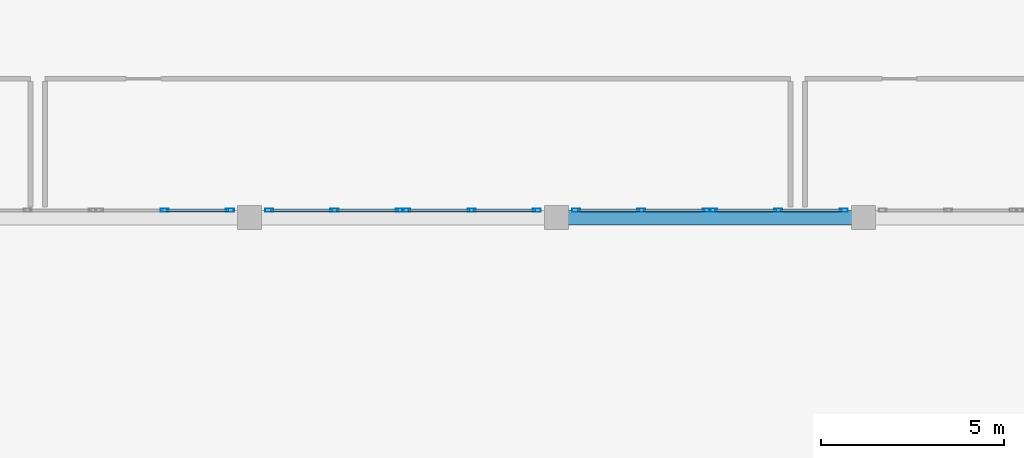
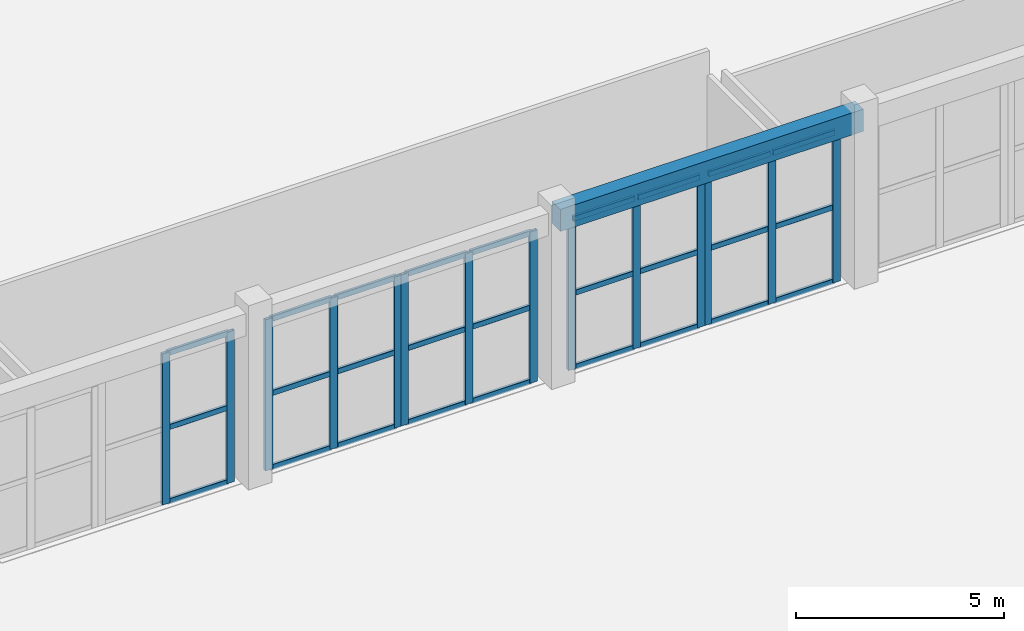
# One storey, part 23 of 98: 41 members, 1 beam, 5 elements without a shape of their own.
"""IFC4 building model written with IfcOpenShell, lengths in metres."""

from ifc_helpers import new_model, si_unit, direction, frame, origin, origin_2d, place, context, subcontext, project, spatial, rectangle, hollow_rectangle, extrude, material, layer, layer_set, material_profile, profile_set, type_object, element, aggregate, save


model = new_model("IFC4")

# Units and contexts
model_context = context("Model", 3, precision=1e-05, world=origin(), true_north=direction((0.0, 1.0)))
body_context = subcontext(model_context, "Body", "Model", "MODEL_VIEW")
ifc_project = project(units=[si_unit("LENGTHUNIT", "METRE"), si_unit("AREAUNIT", "SQUARE_METRE"), si_unit("VOLUMEUNIT", "CUBIC_METRE"), si_unit("PLANEANGLEUNIT", "RADIAN"), si_unit("MASSUNIT", "GRAM", prefix="KILO")], contexts=[model_context])

# Site, building, storey
site_placement = place(None, origin())
site = spatial("IfcSite", under=ifc_project, at=site_placement, CompositionType="ELEMENT")
building_placement = place(site_placement, origin())
building = spatial("IfcBuilding", under=site, at=building_placement, Name="Tarnavel Promenade Courthouse", CompositionType="ELEMENT")
storey_placement = place(building_placement, origin())
storey = spatial("IfcBuildingStorey", under=building, at=storey_placement, Name="L01", CompositionType="ELEMENT", Elevation=0.0)

# Beam
ifc_material_1 = material(Name="Concrete C40/50", Category="concrete")
ifc_material_profile_1 = material_profile(ifc_material_1, rectangle(XDim=0.39990234375, YDim=0.64990234375, at=origin_2d()), Name="RC 400x650")
ifc_profile_set_1 = profile_set([ifc_material_profile_1], Name="Concrete C40/50")
beam_type = type_object("IfcBeamType", Name="Concrete C40/50 BM-RC-400x650 (RC 400x650)", PredefinedType="BEAM", material=ifc_profile_set_1)
beam_placement = place(storey_placement, frame((75.60009765625, 46.800048828125, 4.77001953125), z_axis=(1.0, 0.0, 0.0), x_axis=(0.0, 1.0, 0.0)))
element("IfcBeam", 1, at=beam_placement, inside=storey, type_object=beam_type, Name="L01 Primary Longitudinal Beam 0622", PredefinedType="BEAM", context=body_context, shape_type="SweptSolid", body=[
    extrude(rectangle(XDim=0.39990234375, YDim=0.64990234375, at=origin_2d()), origin(), (0.0, 0.0, 1.0), 8.39990234375),
])

# Curtain wall, members
ifc_material_2 = material(Name="Thermally Broken Anodised Aluminium Curtain Wall System", Category="aluminium")
ifc_layer = layer(ifc_material_2, 0.239990234375)
ifc_layer_set = layer_set([ifc_layer], Name="Thermally Broken Anodised Aluminium Curtain Wall System")
curtain_wall_type = type_object("IfcCurtainWallType", Name="Thermally Broken Aluminium Triple-Glazed Curtain Wall CW-WG-S", PredefinedType="NOTDEFINED", material=ifc_layer_set)
curtain_wall_1_placement = place(storey_placement, origin())
curtain_wall_1 = element("IfcCurtainWall", 2, at=curtain_wall_1_placement, inside=storey, type_object=curtain_wall_type, Name="L01 Winter-Garden South Solar Curtain Wall 048", PredefinedType="NOTDEFINED")
ifc_material_3 = material(Name="Thermally Broken Anodised Aluminium Frame", Category="aluminium")
ifc_material_profile_2 = material_profile(ifc_material_3, hollow_rectangle(XDim=0.090087890625, YDim=0.219970703125, WallThickness=0.0048828125, InnerFilletRadius=0.0048828125, OuterFilletRadius=0.010009765625, at=origin_2d()), Name="CWM 220x90x5")
ifc_profile_set_2 = profile_set([ifc_material_profile_2], Name="Thermally Broken Anodised Aluminium Frame")
member_type_1 = type_object("IfcMemberType", Name="Thermally Broken Anodised Aluminium CWM-175 (CWM 220x90x5)", PredefinedType="MULLION", material=ifc_profile_set_2)
member_1_placement = place(storey_placement, frame((64.875, 47.0, 0.0), z_axis=(0.0, 0.0, 1.0), x_axis=(0.0, 1.0, 0.0)))
member_1 = element("IfcMember", 3, at=member_1_placement, type_object=member_type_1, Name="CW-02 mullion 2", PredefinedType="MULLION", context=body_context, shape_type="SweptSolid", body=[
    extrude(hollow_rectangle(XDim=0.090087890625, YDim=0.219970703125, WallThickness=0.0048828125, InnerFilletRadius=0.0048828125, OuterFilletRadius=0.010009765625, at=origin_2d()), origin(), (0.0, 0.0, 1.0), 4.429931640625),
])
member_2_placement = place(storey_placement, frame((66.6650390625, 47.0, 0.0), z_axis=(0.0, 0.0, 1.0), x_axis=(0.0, 1.0, 0.0)))
member_2 = element("IfcMember", 4, at=member_2_placement, type_object=member_type_1, Name="CW-02 mullion 3", PredefinedType="MULLION", context=body_context, shape_type="SweptSolid", body=[
    extrude(hollow_rectangle(XDim=0.090087890625, YDim=0.219970703125, WallThickness=0.0048828125, InnerFilletRadius=0.0048828125, OuterFilletRadius=0.010009765625, at=origin_2d()), origin(), (0.0, 0.0, 1.0), 4.429931640625),
])

curtain_wall_2_placement = place(storey_placement, origin())
curtain_wall_2 = element("IfcCurtainWall", 5, at=curtain_wall_2_placement, inside=storey, type_object=curtain_wall_type, Name="L01 Winter-Garden South Solar Curtain Wall 049", PredefinedType="NOTDEFINED")
member_3_placement = place(storey_placement, frame((67.735107421875, 47.0, 0.0), z_axis=(0.0, 0.0, 1.0), x_axis=(0.0, 1.0, 0.0)))
member_3 = element("IfcMember", 6, at=member_3_placement, type_object=member_type_1, Name="CW-02 mullion 1", PredefinedType="MULLION", context=body_context, shape_type="SweptSolid", body=[
    extrude(hollow_rectangle(XDim=0.090087890625, YDim=0.219970703125, WallThickness=0.0048828125, InnerFilletRadius=0.0048828125, OuterFilletRadius=0.010009765625, at=origin_2d()), origin(), (0.0, 0.0, 1.0), 4.429931640625),
])
member_4_placement = place(storey_placement, frame((69.52490234375, 47.0, 0.0), z_axis=(0.0, 0.0, 1.0), x_axis=(0.0, 1.0, 0.0)))
member_4 = element("IfcMember", 7, at=member_4_placement, type_object=member_type_1, Name="CW-02 mullion 2", PredefinedType="MULLION", context=body_context, shape_type="SweptSolid", body=[
    extrude(hollow_rectangle(XDim=0.090087890625, YDim=0.219970703125, WallThickness=0.0048828125, InnerFilletRadius=0.0048828125, OuterFilletRadius=0.010009765625, at=origin_2d()), origin(), (0.0, 0.0, 1.0), 4.429931640625),
])
member_5_placement = place(storey_placement, frame((71.31494140625, 47.0, 0.0), z_axis=(0.0, 0.0, 1.0), x_axis=(0.0, 1.0, 0.0)))
member_5 = element("IfcMember", 8, at=member_5_placement, type_object=member_type_1, Name="CW-02 mullion 3", PredefinedType="MULLION", context=body_context, shape_type="SweptSolid", body=[
    extrude(hollow_rectangle(XDim=0.090087890625, YDim=0.219970703125, WallThickness=0.0048828125, InnerFilletRadius=0.0048828125, OuterFilletRadius=0.010009765625, at=origin_2d()), origin(), (0.0, 0.0, 1.0), 4.429931640625),
])

curtain_wall_3_placement = place(storey_placement, origin())
curtain_wall_3 = element("IfcCurtainWall", 9, at=curtain_wall_3_placement, inside=storey, type_object=curtain_wall_type, Name="L01 Winter-Garden South Solar Curtain Wall 050", PredefinedType="NOTDEFINED")
member_6_placement = place(storey_placement, frame((71.485107421875, 47.0, 0.0), z_axis=(0.0, 0.0, 1.0), x_axis=(0.0, 1.0, 0.0)))
member_6 = element("IfcMember", 10, at=member_6_placement, type_object=member_type_1, Name="CW-02 mullion 1", PredefinedType="MULLION", context=body_context, shape_type="SweptSolid", body=[
    extrude(hollow_rectangle(XDim=0.090087890625, YDim=0.219970703125, WallThickness=0.0048828125, InnerFilletRadius=0.0048828125, OuterFilletRadius=0.010009765625, at=origin_2d()), origin(), (0.0, 0.0, 1.0), 4.429931640625),
])
member_7_placement = place(storey_placement, frame((73.27490234375, 47.0, 0.0), z_axis=(0.0, 0.0, 1.0), x_axis=(0.0, 1.0, 0.0)))
member_7 = element("IfcMember", 11, at=member_7_placement, type_object=member_type_1, Name="CW-02 mullion 2", PredefinedType="MULLION", context=body_context, shape_type="SweptSolid", body=[
    extrude(hollow_rectangle(XDim=0.090087890625, YDim=0.219970703125, WallThickness=0.0048828125, InnerFilletRadius=0.0048828125, OuterFilletRadius=0.010009765625, at=origin_2d()), origin(), (0.0, 0.0, 1.0), 4.429931640625),
])
member_8_placement = place(storey_placement, frame((75.06494140625, 47.0, 0.0), z_axis=(0.0, 0.0, 1.0), x_axis=(0.0, 1.0, 0.0)))
member_8 = element("IfcMember", 12, at=member_8_placement, type_object=member_type_1, Name="CW-02 mullion 3", PredefinedType="MULLION", context=body_context, shape_type="SweptSolid", body=[
    extrude(hollow_rectangle(XDim=0.090087890625, YDim=0.219970703125, WallThickness=0.0048828125, InnerFilletRadius=0.0048828125, OuterFilletRadius=0.010009765625, at=origin_2d()), origin(), (0.0, 0.0, 1.0), 4.429931640625),
])

curtain_wall_4_placement = place(storey_placement, origin())
curtain_wall_4 = element("IfcCurtainWall", 13, at=curtain_wall_4_placement, inside=storey, type_object=curtain_wall_type, Name="L01 Winter-Garden South Solar Curtain Wall 051", PredefinedType="NOTDEFINED")
member_9_placement = place(storey_placement, frame((76.135009765625, 47.0, 0.0), z_axis=(0.0, 0.0, 1.0), x_axis=(0.0, 1.0, 0.0)))
member_9 = element("IfcMember", 14, at=member_9_placement, type_object=member_type_1, Name="CW-02 mullion 1", PredefinedType="MULLION", context=body_context, shape_type="SweptSolid", body=[
    extrude(hollow_rectangle(XDim=0.090087890625, YDim=0.219970703125, WallThickness=0.0048828125, InnerFilletRadius=0.0048828125, OuterFilletRadius=0.010009765625, at=origin_2d()), origin(), (0.0, 0.0, 1.0), 4.429931640625),
])
member_10_placement = place(storey_placement, frame((77.925048828125, 47.0, 0.0), z_axis=(0.0, 0.0, 1.0), x_axis=(0.0, 1.0, 0.0)))
member_10 = element("IfcMember", 15, at=member_10_placement, type_object=member_type_1, Name="CW-02 mullion 2", PredefinedType="MULLION", context=body_context, shape_type="SweptSolid", body=[
    extrude(hollow_rectangle(XDim=0.090087890625, YDim=0.219970703125, WallThickness=0.0048828125, InnerFilletRadius=0.0048828125, OuterFilletRadius=0.010009765625, at=origin_2d()), origin(), (0.0, 0.0, 1.0), 4.429931640625),
])
member_11_placement = place(storey_placement, frame((79.715087890625, 47.0, 0.0), z_axis=(0.0, 0.0, 1.0), x_axis=(0.0, 1.0, 0.0)))
member_11 = element("IfcMember", 16, at=member_11_placement, type_object=member_type_1, Name="CW-02 mullion 3", PredefinedType="MULLION", context=body_context, shape_type="SweptSolid", body=[
    extrude(hollow_rectangle(XDim=0.090087890625, YDim=0.219970703125, WallThickness=0.0048828125, InnerFilletRadius=0.0048828125, OuterFilletRadius=0.010009765625, at=origin_2d()), origin(), (0.0, 0.0, 1.0), 4.429931640625),
])

curtain_wall_5_placement = place(storey_placement, origin())
curtain_wall_5 = element("IfcCurtainWall", 17, at=curtain_wall_5_placement, inside=storey, type_object=curtain_wall_type, Name="L01 Winter-Garden South Solar Curtain Wall 052", PredefinedType="NOTDEFINED")
member_12_placement = place(storey_placement, frame((79.885009765625, 47.0, 0.0), z_axis=(0.0, 0.0, 1.0), x_axis=(0.0, 1.0, 0.0)))
member_12 = element("IfcMember", 18, at=member_12_placement, type_object=member_type_1, Name="CW-02 mullion 1", PredefinedType="MULLION", context=body_context, shape_type="SweptSolid", body=[
    extrude(hollow_rectangle(XDim=0.090087890625, YDim=0.219970703125, WallThickness=0.0048828125, InnerFilletRadius=0.0048828125, OuterFilletRadius=0.010009765625, at=origin_2d()), origin(), (0.0, 0.0, 1.0), 4.429931640625),
])
member_13_placement = place(storey_placement, frame((81.675048828125, 47.0, 0.0), z_axis=(0.0, 0.0, 1.0), x_axis=(0.0, 1.0, 0.0)))
member_13 = element("IfcMember", 19, at=member_13_placement, type_object=member_type_1, Name="CW-02 mullion 2", PredefinedType="MULLION", context=body_context, shape_type="SweptSolid", body=[
    extrude(hollow_rectangle(XDim=0.090087890625, YDim=0.219970703125, WallThickness=0.0048828125, InnerFilletRadius=0.0048828125, OuterFilletRadius=0.010009765625, at=origin_2d()), origin(), (0.0, 0.0, 1.0), 4.429931640625),
])
member_14_placement = place(storey_placement, frame((83.465087890625, 47.0, 0.0), z_axis=(0.0, 0.0, 1.0), x_axis=(0.0, 1.0, 0.0)))
member_14 = element("IfcMember", 20, at=member_14_placement, type_object=member_type_1, Name="CW-02 mullion 3", PredefinedType="MULLION", context=body_context, shape_type="SweptSolid", body=[
    extrude(hollow_rectangle(XDim=0.090087890625, YDim=0.219970703125, WallThickness=0.0048828125, InnerFilletRadius=0.0048828125, OuterFilletRadius=0.010009765625, at=origin_2d()), origin(), (0.0, 0.0, 1.0), 4.429931640625),
])

# Member
ifc_material_profile_3 = material_profile(ifc_material_3, hollow_rectangle(XDim=0.080078125, YDim=0.159912109375, WallThickness=0.0048828125, InnerFilletRadius=0.0048828125, OuterFilletRadius=0.010009765625, at=origin_2d()), Name="CWT 160x80x5")
ifc_profile_set_3 = profile_set([ifc_material_profile_3], Name="Thermally Broken Anodised Aluminium Frame")
member_type_2 = type_object("IfcMemberType", Name="Thermally Broken Anodised Aluminium CWT-145 (CWT 160x80x5)", PredefinedType="USERDEFINED", material=ifc_profile_set_3)
member_15_placement = place(storey_placement, frame((64.919921875, 47.0, 0.0400390625), z_axis=(1.0, 0.0, 0.0), x_axis=(0.0, 1.0, 0.0)))
member_15 = element("IfcMember", 21, at=member_15_placement, type_object=member_type_2, Name="CW-02 transom 2.1", ObjectType="TRANSOM", PredefinedType="USERDEFINED", context=body_context, shape_type="SweptSolid", body=[
    extrude(hollow_rectangle(XDim=0.080078125, YDim=0.159912109375, WallThickness=0.0048828125, InnerFilletRadius=0.0048828125, OuterFilletRadius=0.010009765625, at=origin_2d()), origin(), (0.0, 0.0, 1.0), 1.7001953125),
])

member_16_placement = place(storey_placement, frame((64.919921875, 47.0, 2.215087890625), z_axis=(1.0, 0.0, 0.0), x_axis=(0.0, 1.0, 0.0)))
member_16 = element("IfcMember", 22, at=member_16_placement, type_object=member_type_2, Name="CW-02 transom 2.2", ObjectType="TRANSOM", PredefinedType="USERDEFINED", context=body_context, shape_type="SweptSolid", body=[
    extrude(hollow_rectangle(XDim=0.080078125, YDim=0.159912109375, WallThickness=0.0048828125, InnerFilletRadius=0.0048828125, OuterFilletRadius=0.010009765625, at=origin_2d()), origin(), (0.0, 0.0, 1.0), 1.7001953125),
])

member_17_placement = place(storey_placement, frame((64.919921875, 47.0, 4.389892578125), z_axis=(1.0, 0.0, 0.0), x_axis=(0.0, 1.0, 0.0)))
member_17 = element("IfcMember", 23, at=member_17_placement, type_object=member_type_2, Name="CW-02 transom 2.3", ObjectType="TRANSOM", PredefinedType="USERDEFINED", context=body_context, shape_type="SweptSolid", body=[
    extrude(hollow_rectangle(XDim=0.080078125, YDim=0.159912109375, WallThickness=0.0048828125, InnerFilletRadius=0.0048828125, OuterFilletRadius=0.010009765625, at=origin_2d()), origin(), (0.0, 0.0, 1.0), 1.7001953125),
])

aggregate(curtain_wall_1, [member_1, member_2, member_15, member_16, member_17])

member_18_placement = place(storey_placement, frame((67.780029296875, 47.0, 0.0400390625), z_axis=(1.0, 0.0, 0.0), x_axis=(0.0, 1.0, 0.0)))
member_18 = element("IfcMember", 24, at=member_18_placement, type_object=member_type_2, Name="CW-02 transom 1.1", ObjectType="TRANSOM", PredefinedType="USERDEFINED", context=body_context, shape_type="SweptSolid", body=[
    extrude(hollow_rectangle(XDim=0.080078125, YDim=0.159912109375, WallThickness=0.0048828125, InnerFilletRadius=0.0048828125, OuterFilletRadius=0.010009765625, at=origin_2d()), origin(), (0.0, 0.0, 1.0), 1.699951171875),
])

member_19_placement = place(storey_placement, frame((67.780029296875, 47.0, 2.215087890625), z_axis=(1.0, 0.0, 0.0), x_axis=(0.0, 1.0, 0.0)))
member_19 = element("IfcMember", 25, at=member_19_placement, type_object=member_type_2, Name="CW-02 transom 1.2", ObjectType="TRANSOM", PredefinedType="USERDEFINED", context=body_context, shape_type="SweptSolid", body=[
    extrude(hollow_rectangle(XDim=0.080078125, YDim=0.159912109375, WallThickness=0.0048828125, InnerFilletRadius=0.0048828125, OuterFilletRadius=0.010009765625, at=origin_2d()), origin(), (0.0, 0.0, 1.0), 1.699951171875),
])

member_20_placement = place(storey_placement, frame((67.780029296875, 47.0, 4.389892578125), z_axis=(1.0, 0.0, 0.0), x_axis=(0.0, 1.0, 0.0)))
member_20 = element("IfcMember", 26, at=member_20_placement, type_object=member_type_2, Name="CW-02 transom 1.3", ObjectType="TRANSOM", PredefinedType="USERDEFINED", context=body_context, shape_type="SweptSolid", body=[
    extrude(hollow_rectangle(XDim=0.080078125, YDim=0.159912109375, WallThickness=0.0048828125, InnerFilletRadius=0.0048828125, OuterFilletRadius=0.010009765625, at=origin_2d()), origin(), (0.0, 0.0, 1.0), 1.699951171875),
])

member_21_placement = place(storey_placement, frame((69.570068359375, 47.0, 0.0400390625), z_axis=(1.0, 0.0, 0.0), x_axis=(0.0, 1.0, 0.0)))
member_21 = element("IfcMember", 27, at=member_21_placement, type_object=member_type_2, Name="CW-02 transom 2.1", ObjectType="TRANSOM", PredefinedType="USERDEFINED", context=body_context, shape_type="SweptSolid", body=[
    extrude(hollow_rectangle(XDim=0.080078125, YDim=0.159912109375, WallThickness=0.0048828125, InnerFilletRadius=0.0048828125, OuterFilletRadius=0.010009765625, at=origin_2d()), origin(), (0.0, 0.0, 1.0), 1.699951171875),
])

member_22_placement = place(storey_placement, frame((69.570068359375, 47.0, 2.215087890625), z_axis=(1.0, 0.0, 0.0), x_axis=(0.0, 1.0, 0.0)))
member_22 = element("IfcMember", 28, at=member_22_placement, type_object=member_type_2, Name="CW-02 transom 2.2", ObjectType="TRANSOM", PredefinedType="USERDEFINED", context=body_context, shape_type="SweptSolid", body=[
    extrude(hollow_rectangle(XDim=0.080078125, YDim=0.159912109375, WallThickness=0.0048828125, InnerFilletRadius=0.0048828125, OuterFilletRadius=0.010009765625, at=origin_2d()), origin(), (0.0, 0.0, 1.0), 1.699951171875),
])

member_23_placement = place(storey_placement, frame((69.570068359375, 47.0, 4.389892578125), z_axis=(1.0, 0.0, 0.0), x_axis=(0.0, 1.0, 0.0)))
member_23 = element("IfcMember", 29, at=member_23_placement, type_object=member_type_2, Name="CW-02 transom 2.3", ObjectType="TRANSOM", PredefinedType="USERDEFINED", context=body_context, shape_type="SweptSolid", body=[
    extrude(hollow_rectangle(XDim=0.080078125, YDim=0.159912109375, WallThickness=0.0048828125, InnerFilletRadius=0.0048828125, OuterFilletRadius=0.010009765625, at=origin_2d()), origin(), (0.0, 0.0, 1.0), 1.699951171875),
])

aggregate(curtain_wall_2, [member_3, member_4, member_5, member_18, member_19, member_20, member_21, member_22, member_23])

member_24_placement = place(storey_placement, frame((71.530029296875, 47.0, 0.0400390625), z_axis=(1.0, 0.0, 0.0), x_axis=(0.0, 1.0, 0.0)))
member_24 = element("IfcMember", 30, at=member_24_placement, type_object=member_type_2, Name="CW-02 transom 1.1", ObjectType="TRANSOM", PredefinedType="USERDEFINED", context=body_context, shape_type="SweptSolid", body=[
    extrude(hollow_rectangle(XDim=0.080078125, YDim=0.159912109375, WallThickness=0.0048828125, InnerFilletRadius=0.0048828125, OuterFilletRadius=0.010009765625, at=origin_2d()), origin(), (0.0, 0.0, 1.0), 1.699951171875),
])

member_25_placement = place(storey_placement, frame((71.530029296875, 47.0, 2.215087890625), z_axis=(1.0, 0.0, 0.0), x_axis=(0.0, 1.0, 0.0)))
member_25 = element("IfcMember", 31, at=member_25_placement, type_object=member_type_2, Name="CW-02 transom 1.2", ObjectType="TRANSOM", PredefinedType="USERDEFINED", context=body_context, shape_type="SweptSolid", body=[
    extrude(hollow_rectangle(XDim=0.080078125, YDim=0.159912109375, WallThickness=0.0048828125, InnerFilletRadius=0.0048828125, OuterFilletRadius=0.010009765625, at=origin_2d()), origin(), (0.0, 0.0, 1.0), 1.699951171875),
])

member_26_placement = place(storey_placement, frame((71.530029296875, 47.0, 4.389892578125), z_axis=(1.0, 0.0, 0.0), x_axis=(0.0, 1.0, 0.0)))
member_26 = element("IfcMember", 32, at=member_26_placement, type_object=member_type_2, Name="CW-02 transom 1.3", ObjectType="TRANSOM", PredefinedType="USERDEFINED", context=body_context, shape_type="SweptSolid", body=[
    extrude(hollow_rectangle(XDim=0.080078125, YDim=0.159912109375, WallThickness=0.0048828125, InnerFilletRadius=0.0048828125, OuterFilletRadius=0.010009765625, at=origin_2d()), origin(), (0.0, 0.0, 1.0), 1.699951171875),
])

member_27_placement = place(storey_placement, frame((73.320068359375, 47.0, 0.0400390625), z_axis=(1.0, 0.0, 0.0), x_axis=(0.0, 1.0, 0.0)))
member_27 = element("IfcMember", 33, at=member_27_placement, type_object=member_type_2, Name="CW-02 transom 2.1", ObjectType="TRANSOM", PredefinedType="USERDEFINED", context=body_context, shape_type="SweptSolid", body=[
    extrude(hollow_rectangle(XDim=0.080078125, YDim=0.159912109375, WallThickness=0.0048828125, InnerFilletRadius=0.0048828125, OuterFilletRadius=0.010009765625, at=origin_2d()), origin(), (0.0, 0.0, 1.0), 1.699951171875),
])

member_28_placement = place(storey_placement, frame((73.320068359375, 47.0, 2.215087890625), z_axis=(1.0, 0.0, 0.0), x_axis=(0.0, 1.0, 0.0)))
member_28 = element("IfcMember", 34, at=member_28_placement, type_object=member_type_2, Name="CW-02 transom 2.2", ObjectType="TRANSOM", PredefinedType="USERDEFINED", context=body_context, shape_type="SweptSolid", body=[
    extrude(hollow_rectangle(XDim=0.080078125, YDim=0.159912109375, WallThickness=0.0048828125, InnerFilletRadius=0.0048828125, OuterFilletRadius=0.010009765625, at=origin_2d()), origin(), (0.0, 0.0, 1.0), 1.699951171875),
])

member_29_placement = place(storey_placement, frame((73.320068359375, 47.0, 4.389892578125), z_axis=(1.0, 0.0, 0.0), x_axis=(0.0, 1.0, 0.0)))
member_29 = element("IfcMember", 35, at=member_29_placement, type_object=member_type_2, Name="CW-02 transom 2.3", ObjectType="TRANSOM", PredefinedType="USERDEFINED", context=body_context, shape_type="SweptSolid", body=[
    extrude(hollow_rectangle(XDim=0.080078125, YDim=0.159912109375, WallThickness=0.0048828125, InnerFilletRadius=0.0048828125, OuterFilletRadius=0.010009765625, at=origin_2d()), origin(), (0.0, 0.0, 1.0), 1.699951171875),
])

aggregate(curtain_wall_3, [member_6, member_7, member_8, member_24, member_25, member_26, member_27, member_28, member_29])

member_30_placement = place(storey_placement, frame((76.179931640625, 47.0, 0.0400390625), z_axis=(1.0, 0.0, 0.0), x_axis=(0.0, 1.0, 0.0)))
member_30 = element("IfcMember", 36, at=member_30_placement, type_object=member_type_2, Name="CW-02 transom 1.1", ObjectType="TRANSOM", PredefinedType="USERDEFINED", context=body_context, shape_type="SweptSolid", body=[
    extrude(hollow_rectangle(XDim=0.080078125, YDim=0.159912109375, WallThickness=0.0048828125, InnerFilletRadius=0.0048828125, OuterFilletRadius=0.010009765625, at=origin_2d()), origin(), (0.0, 0.0, 1.0), 1.699951171875),
])

member_31_placement = place(storey_placement, frame((76.179931640625, 47.0, 2.215087890625), z_axis=(1.0, 0.0, 0.0), x_axis=(0.0, 1.0, 0.0)))
member_31 = element("IfcMember", 37, at=member_31_placement, type_object=member_type_2, Name="CW-02 transom 1.2", ObjectType="TRANSOM", PredefinedType="USERDEFINED", context=body_context, shape_type="SweptSolid", body=[
    extrude(hollow_rectangle(XDim=0.080078125, YDim=0.159912109375, WallThickness=0.0048828125, InnerFilletRadius=0.0048828125, OuterFilletRadius=0.010009765625, at=origin_2d()), origin(), (0.0, 0.0, 1.0), 1.699951171875),
])

member_32_placement = place(storey_placement, frame((76.179931640625, 47.0, 4.389892578125), z_axis=(1.0, 0.0, 0.0), x_axis=(0.0, 1.0, 0.0)))
member_32 = element("IfcMember", 38, at=member_32_placement, type_object=member_type_2, Name="CW-02 transom 1.3", ObjectType="TRANSOM", PredefinedType="USERDEFINED", context=body_context, shape_type="SweptSolid", body=[
    extrude(hollow_rectangle(XDim=0.080078125, YDim=0.159912109375, WallThickness=0.0048828125, InnerFilletRadius=0.0048828125, OuterFilletRadius=0.010009765625, at=origin_2d()), origin(), (0.0, 0.0, 1.0), 1.699951171875),
])

member_33_placement = place(storey_placement, frame((77.969970703125, 47.0, 0.0400390625), z_axis=(1.0, 0.0, 0.0), x_axis=(0.0, 1.0, 0.0)))
member_33 = element("IfcMember", 39, at=member_33_placement, type_object=member_type_2, Name="CW-02 transom 2.1", ObjectType="TRANSOM", PredefinedType="USERDEFINED", context=body_context, shape_type="SweptSolid", body=[
    extrude(hollow_rectangle(XDim=0.080078125, YDim=0.159912109375, WallThickness=0.0048828125, InnerFilletRadius=0.0048828125, OuterFilletRadius=0.010009765625, at=origin_2d()), origin(), (0.0, 0.0, 1.0), 1.699951171875),
])

member_34_placement = place(storey_placement, frame((77.969970703125, 47.0, 2.215087890625), z_axis=(1.0, 0.0, 0.0), x_axis=(0.0, 1.0, 0.0)))
member_34 = element("IfcMember", 40, at=member_34_placement, type_object=member_type_2, Name="CW-02 transom 2.2", ObjectType="TRANSOM", PredefinedType="USERDEFINED", context=body_context, shape_type="SweptSolid", body=[
    extrude(hollow_rectangle(XDim=0.080078125, YDim=0.159912109375, WallThickness=0.0048828125, InnerFilletRadius=0.0048828125, OuterFilletRadius=0.010009765625, at=origin_2d()), origin(), (0.0, 0.0, 1.0), 1.699951171875),
])

member_35_placement = place(storey_placement, frame((77.969970703125, 47.0, 4.389892578125), z_axis=(1.0, 0.0, 0.0), x_axis=(0.0, 1.0, 0.0)))
member_35 = element("IfcMember", 41, at=member_35_placement, type_object=member_type_2, Name="CW-02 transom 2.3", ObjectType="TRANSOM", PredefinedType="USERDEFINED", context=body_context, shape_type="SweptSolid", body=[
    extrude(hollow_rectangle(XDim=0.080078125, YDim=0.159912109375, WallThickness=0.0048828125, InnerFilletRadius=0.0048828125, OuterFilletRadius=0.010009765625, at=origin_2d()), origin(), (0.0, 0.0, 1.0), 1.699951171875),
])

aggregate(curtain_wall_4, [member_9, member_10, member_11, member_30, member_31, member_32, member_33, member_34, member_35])

member_36_placement = place(storey_placement, frame((79.929931640625, 47.0, 0.0400390625), z_axis=(1.0, 0.0, 0.0), x_axis=(0.0, 1.0, 0.0)))
member_36 = element("IfcMember", 42, at=member_36_placement, type_object=member_type_2, Name="CW-02 transom 1.1", ObjectType="TRANSOM", PredefinedType="USERDEFINED", context=body_context, shape_type="SweptSolid", body=[
    extrude(hollow_rectangle(XDim=0.080078125, YDim=0.159912109375, WallThickness=0.0048828125, InnerFilletRadius=0.0048828125, OuterFilletRadius=0.010009765625, at=origin_2d()), origin(), (0.0, 0.0, 1.0), 1.699951171875),
])

member_37_placement = place(storey_placement, frame((79.929931640625, 47.0, 2.215087890625), z_axis=(1.0, 0.0, 0.0), x_axis=(0.0, 1.0, 0.0)))
member_37 = element("IfcMember", 43, at=member_37_placement, type_object=member_type_2, Name="CW-02 transom 1.2", ObjectType="TRANSOM", PredefinedType="USERDEFINED", context=body_context, shape_type="SweptSolid", body=[
    extrude(hollow_rectangle(XDim=0.080078125, YDim=0.159912109375, WallThickness=0.0048828125, InnerFilletRadius=0.0048828125, OuterFilletRadius=0.010009765625, at=origin_2d()), origin(), (0.0, 0.0, 1.0), 1.699951171875),
])

member_38_placement = place(storey_placement, frame((79.929931640625, 47.0, 4.389892578125), z_axis=(1.0, 0.0, 0.0), x_axis=(0.0, 1.0, 0.0)))
member_38 = element("IfcMember", 44, at=member_38_placement, type_object=member_type_2, Name="CW-02 transom 1.3", ObjectType="TRANSOM", PredefinedType="USERDEFINED", context=body_context, shape_type="SweptSolid", body=[
    extrude(hollow_rectangle(XDim=0.080078125, YDim=0.159912109375, WallThickness=0.0048828125, InnerFilletRadius=0.0048828125, OuterFilletRadius=0.010009765625, at=origin_2d()), origin(), (0.0, 0.0, 1.0), 1.699951171875),
])

member_39_placement = place(storey_placement, frame((81.719970703125, 47.0, 0.0400390625), z_axis=(1.0, 0.0, 0.0), x_axis=(0.0, 1.0, 0.0)))
member_39 = element("IfcMember", 45, at=member_39_placement, type_object=member_type_2, Name="CW-02 transom 2.1", ObjectType="TRANSOM", PredefinedType="USERDEFINED", context=body_context, shape_type="SweptSolid", body=[
    extrude(hollow_rectangle(XDim=0.080078125, YDim=0.159912109375, WallThickness=0.0048828125, InnerFilletRadius=0.0048828125, OuterFilletRadius=0.010009765625, at=origin_2d()), origin(), (0.0, 0.0, 1.0), 1.699951171875),
])

member_40_placement = place(storey_placement, frame((81.719970703125, 47.0, 2.215087890625), z_axis=(1.0, 0.0, 0.0), x_axis=(0.0, 1.0, 0.0)))
member_40 = element("IfcMember", 46, at=member_40_placement, type_object=member_type_2, Name="CW-02 transom 2.2", ObjectType="TRANSOM", PredefinedType="USERDEFINED", context=body_context, shape_type="SweptSolid", body=[
    extrude(hollow_rectangle(XDim=0.080078125, YDim=0.159912109375, WallThickness=0.0048828125, InnerFilletRadius=0.0048828125, OuterFilletRadius=0.010009765625, at=origin_2d()), origin(), (0.0, 0.0, 1.0), 1.699951171875),
])

member_41_placement = place(storey_placement, frame((81.719970703125, 47.0, 4.389892578125), z_axis=(1.0, 0.0, 0.0), x_axis=(0.0, 1.0, 0.0)))
member_41 = element("IfcMember", 47, at=member_41_placement, type_object=member_type_2, Name="CW-02 transom 2.3", ObjectType="TRANSOM", PredefinedType="USERDEFINED", context=body_context, shape_type="SweptSolid", body=[
    extrude(hollow_rectangle(XDim=0.080078125, YDim=0.159912109375, WallThickness=0.0048828125, InnerFilletRadius=0.0048828125, OuterFilletRadius=0.010009765625, at=origin_2d()), origin(), (0.0, 0.0, 1.0), 1.699951171875),
])

aggregate(curtain_wall_5, [member_12, member_13, member_14, member_36, member_37, member_38, member_39, member_40, member_41])

save(model, "model.ifc")
